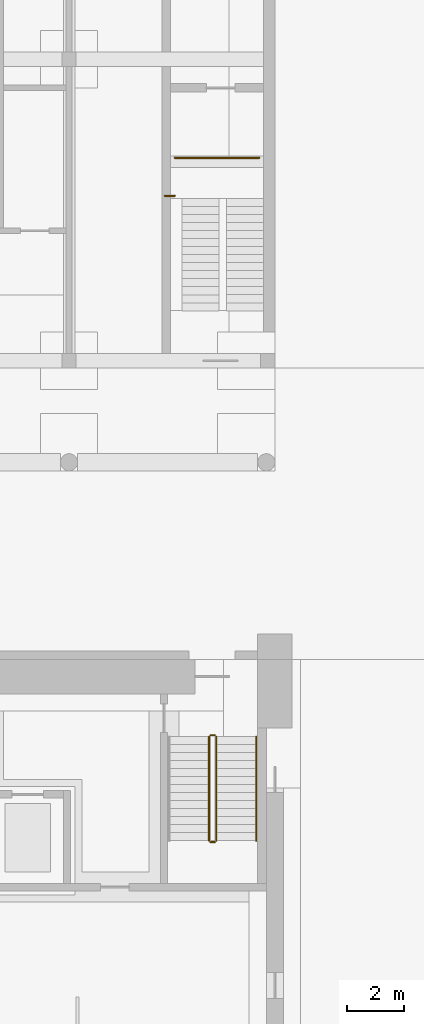
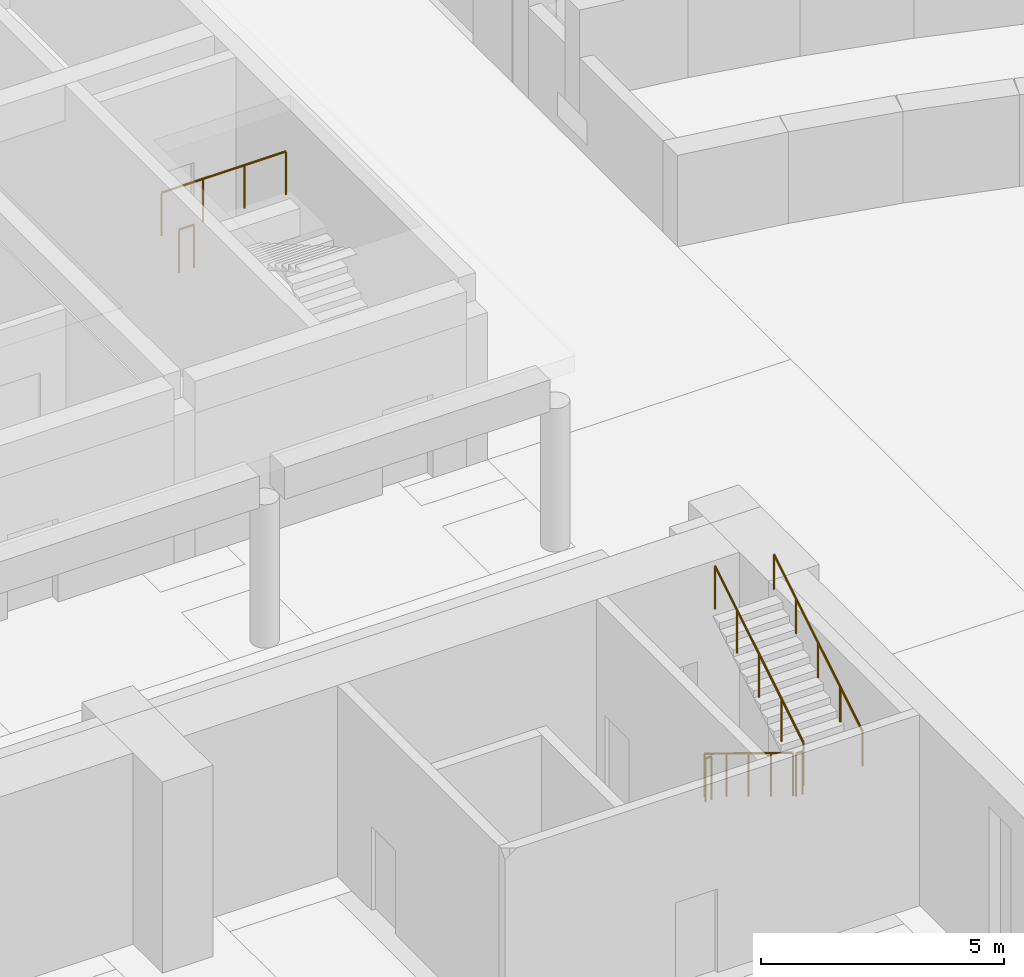
# One storey, part 69 of 73: 7 railings.
"""IFC4 building model written with IfcOpenShell, lengths in metres."""

import ifcopenshell
import ifcopenshell.guid

model = None  # the IFC model being written
_history = None  # IfcOwnerHistory: only IFC2X3 demands one
_inside = {}  # id of a spatial element -> (the spatial element, [elements in it])
_under = {}  # id of a project, library or spatial element -> (it, [spatial elements below it])
_declared = {}  # id of a project -> (the project, [libraries it declares])
_typed = {}  # id of a type object -> (the type object, [elements of that type])
_made_of = {}  # id of a material, layer set ... -> (it, [elements and type objects made of it])


def new_model(schema):
    """Start an empty IFC model of exactly this schema.

    Asked for "IFC4X3", IfcOpenShell would pick the latest addendum, in which some entities
    have other attributes; the version numbers below select the first issue.
    IFC2X3 requires an IfcOwnerHistory on every rooted entity: one is made here for all.
    """
    global model, _history
    if schema == "IFC4X3":
        model = ifcopenshell.file(schema_version=(4, 3, 0, 0))
    else:
        model = ifcopenshell.file(schema=schema)
    _inside.clear()
    _under.clear()
    _declared.clear()
    _typed.clear()
    _made_of.clear()
    _history = None
    if model.schema == "IFC2X3":
        org = make("IfcOrganization", Name="unknown")
        user = make(
            "IfcPersonAndOrganization",
            ThePerson=make("IfcPerson", FamilyName="unknown"),
            TheOrganization=org,
        )
        app = make(
            "IfcApplication",
            ApplicationDeveloper=org,
            Version="unknown",
            ApplicationFullName="unknown",
            ApplicationIdentifier="unknown",
        )
        _history = make(
            "IfcOwnerHistory",
            OwningUser=user,
            OwningApplication=app,
            ChangeAction="ADDED",
            CreationDate=0,
        )
    return model


def make(cls, **values):
    """One entity of the class cls with the attributes given. An attribute that is None is left unset."""
    return model.create_entity(
        cls, **{name: value for name, value in values.items() if value is not None}
    )


def rooted(cls, **values):
    """An entity with a GlobalId (a new one), such as an element, a storey or a relation."""
    return make(cls, GlobalId=ifcopenshell.guid.new(), OwnerHistory=_history, **values)


def si_unit(unit_type, name, prefix=None):
    """IfcSIUnit, for example si_unit("LENGTHUNIT", "METRE", prefix="MILLI")."""
    return make("IfcSIUnit", UnitType=unit_type, Prefix=prefix, Name=name)


def assignment(units):
    """IfcUnitAssignment: the units of a project."""
    return None if units is None else make("IfcUnitAssignment", Units=units)


def point(xyz):
    """IfcCartesianPoint."""
    return None if xyz is None else make("IfcCartesianPoint", Coordinates=xyz)


def direction(xyz):
    """IfcDirection."""
    return None if xyz is None else make("IfcDirection", DirectionRatios=xyz)


def frame(location, z_axis=None, x_axis=None):
    """IfcAxis2Placement3D, a coordinate frame: its origin and axes. An axis left out is left unset."""
    return make(
        "IfcAxis2Placement3D",
        Location=point(location),
        Axis=direction(z_axis),
        RefDirection=direction(x_axis),
    )


def frame_2d(location, x_axis=None):
    """IfcAxis2Placement2D, a coordinate frame in the plane: its origin and x axis."""
    return make(
        "IfcAxis2Placement2D", Location=point(location), RefDirection=direction(x_axis)
    )


def origin():
    """The frame at (0, 0, 0) with its axes left unset."""
    return frame((0.0, 0.0, 0.0))


def origin_2d():
    """The frame at (0, 0) in the plane with its x axis left unset."""
    return frame_2d((0.0, 0.0))


def place(relative_to, where):
    """IfcLocalPlacement: puts the frame where relative to a parent placement (None: the world)."""
    return make(
        "IfcLocalPlacement", PlacementRelTo=relative_to, RelativePlacement=where
    )


def context(
    kind, dimensions, precision=None, world=None, true_north=None, identifier=None
):
    """IfcGeometricRepresentationContext, for example the 3D "Model" context."""
    return make(
        "IfcGeometricRepresentationContext",
        ContextIdentifier=identifier,
        ContextType=kind,
        CoordinateSpaceDimension=dimensions,
        Precision=precision,
        WorldCoordinateSystem=world,
        TrueNorth=true_north,
    )


def subcontext(parent, identifier, kind, view, scale=None):
    """IfcGeometricRepresentationSubContext, for example "Body" below "Model"."""
    return make(
        "IfcGeometricRepresentationSubContext",
        ContextIdentifier=identifier,
        ContextType=kind,
        ParentContext=parent,
        TargetScale=scale,
        TargetView=view,
    )


def project(units=None, contexts=None):
    """IfcProject with its units and contexts."""
    return rooted(
        "IfcProject",
        Name="project",
        RepresentationContexts=contexts,
        UnitsInContext=assignment(units),
    )


def spatial(cls, under=None, at=None, **own):
    """A site, building, storey or space (cls), placed at a placement, below another one or the project."""
    s = rooted(cls, ObjectPlacement=at, **own)
    if under is not None:
        _under.setdefault(under.id(), (under, []))[1].append(s)
    return s


def profile(cls, at=None, kind="AREA", **sizes):
    """A parametric profile (cls). Its sizes go by their IFC names, for example OverallWidth=200.0."""
    return make(cls, ProfileType=kind, Position=at, **sizes)


def circle(**sizes):
    """IfcCircleProfileDef."""
    return profile("IfcCircleProfileDef", **sizes)


def extrude(swept, where, along, depth):
    """IfcExtrudedAreaSolid: the profile swept, set in the frame where, extruded along a direction by depth."""
    return make(
        "IfcExtrudedAreaSolid",
        SweptArea=swept,
        Position=where,
        ExtrudedDirection=direction(along),
        Depth=depth,
    )


def shape(context_of_items, identifier, shape_type, items):
    """IfcShapeRepresentation: the items that make up one representation, for example the "Body"."""
    return make(
        "IfcShapeRepresentation",
        ContextOfItems=context_of_items,
        RepresentationIdentifier=identifier,
        RepresentationType=shape_type,
        Items=items,
    )


def material(Name=None, Category=None):
    """IfcMaterial."""
    return make("IfcMaterial", Name=Name, Category=Category)


def made_of(thing, what):
    """Note that an element or type object is made of a material, layer set ...; save() writes the relation."""
    if what is not None:
        _made_of.setdefault(what.id(), (what, []))[1].append(thing)
    return thing


def type_object(cls, material=None, **own):
    """A type object (cls), such as IfcWallType, which elements share."""
    return made_of(rooted(cls, **own), material)


def element(
    cls,
    number,
    at=None,
    inside=None,
    cuts=None,
    type_object=None,
    material=None,
    context=None,
    identifier="Body",
    shape_type=None,
    held_by="IfcProductDefinitionShape",
    body=None,
    shapes=None,
    **own,
):
    """One element of the class cls, such as IfcWall. Its Tag is "e" and its number.

    at: its placement. inside: the storey or other place that contains it. cuts: it is an
    opening in that element (IfcRelVoidsElement). A single representation is given by context,
    identifier, shape_type and body (its items); several are given by shapes. held_by: the class
    of the entity that holds the representations. save() writes the other relations.
    """
    e = rooted(cls, Tag="e%d" % number, ObjectPlacement=at, **own)
    if body is not None:
        shapes = [shape(context, identifier, shape_type, body)]
    if shapes is not None:
        e.Representation = make(held_by, Representations=shapes)
    if inside is not None:
        _inside.setdefault(inside.id(), (inside, []))[1].append(e)
    if cuts is not None:
        rooted(
            "IfcRelVoidsElement", RelatingBuildingElement=cuts, RelatedOpeningElement=e
        )
    if type_object is not None:
        _typed.setdefault(type_object.id(), (type_object, []))[1].append(e)
    return made_of(e, material)


def aggregate(whole, parts):
    """IfcRelAggregates: a whole, such as a stair, and the parts it consists of."""
    return rooted("IfcRelAggregates", RelatingObject=whole, RelatedObjects=parts)


def save(model, path):
    """Write the relations noted so far, then the file.

    IfcRelAggregates (storeys below a building ...), IfcRelContainedInSpatialStructure (elements
    in a storey), IfcRelDefinesByType, IfcRelAssociatesMaterial and IfcRelDeclares: one each for
    every whole, place, type object, material and project.
    """
    for whole, parts in _under.values():
        aggregate(whole, parts)
    for where, things in _inside.values():
        rooted(
            "IfcRelContainedInSpatialStructure",
            RelatedElements=things,
            RelatingStructure=where,
        )
    for kind, things in _typed.values():
        rooted("IfcRelDefinesByType", RelatedObjects=things, RelatingType=kind)
    for what, things in _made_of.values():
        rooted("IfcRelAssociatesMaterial", RelatedObjects=things, RelatingMaterial=what)
    for by, libraries in _declared.values():
        rooted("IfcRelDeclares", RelatingContext=by, RelatedDefinitions=libraries)
    model.write(path)


model = new_model("IFC4")

# Units and contexts
model_context = context("Model", 3, precision=1e-05, world=origin(), true_north=direction((0.0, 1.0)))
body_context = subcontext(model_context, "Body", "Model", "MODEL_VIEW")
ifc_project = project(units=[si_unit("LENGTHUNIT", "METRE"), si_unit("AREAUNIT", "SQUARE_METRE"), si_unit("VOLUMEUNIT", "CUBIC_METRE"), si_unit("PLANEANGLEUNIT", "RADIAN"), si_unit("MASSUNIT", "GRAM", prefix="KILO")], contexts=[model_context])

# Site, building, storey
site_placement = place(None, origin())
site = spatial("IfcSite", under=ifc_project, at=site_placement, CompositionType="ELEMENT")
building_placement = place(site_placement, origin())
building = spatial("IfcBuilding", under=site, at=building_placement, Name="Alderwick Market Hall", CompositionType="ELEMENT")
storey_placement = place(building_placement, origin())
storey = spatial("IfcBuildingStorey", under=building, at=storey_placement, Name="LG", CompositionType="ELEMENT", Elevation=0.0)

# Railings
ifc_material_1 = material(Name="Steel ASTM A500 Grade C", Category="steel")
railing_type_1 = type_object("IfcRailingType", Name="A Roof Guard 1100", PredefinedType="GUARDRAIL", material=ifc_material_1)
railing_1_placement = place(storey_placement, frame((150.64990234375, 126.14990234375, 2.39990234375)))
element("IfcRailing", 1, at=railing_1_placement, inside=storey, type_object=railing_type_1, Name="Stair guard", PredefinedType="GUARDRAIL", context=body_context, shape_type="SweptSolid", body=[
    extrude(circle(Radius=0.02392578125, at=origin_2d()), frame((0.0, 0.0, 1.076171875), z_axis=(-1.0, 0.0, 0.0), x_axis=(0.0, -1.0, 0.0)), (0.0, 0.0, 1.0), 2.949951171875),
    extrude(circle(Radius=0.02099609375, at=origin_2d()), origin(), (0.0, 0.0, 1.0), 1.052001953125),
    extrude(circle(Radius=0.02099609375, at=origin_2d()), frame((-0.9833984375, 0.0, 0.0)), (0.0, 0.0, 1.0), 1.052001953125),
    extrude(circle(Radius=0.02099609375, at=origin_2d()), frame((-1.966552734375, 0.0, 0.0)), (0.0, 0.0, 1.0), 1.052001953125),
    extrude(circle(Radius=0.02099609375, at=origin_2d()), frame((-2.949951171875, 0.0, 0.0)), (0.0, 0.0, 1.0), 1.052001953125),
])
railing_2_placement = place(storey_placement, frame((147.35009765625, 124.820068359375, 2.39990234375)))
element("IfcRailing", 2, at=railing_2_placement, inside=storey, type_object=railing_type_1, Name="Stair guard", PredefinedType="GUARDRAIL", context=body_context, shape_type="SweptSolid", body=[
    extrude(circle(Radius=0.02392578125, at=origin_2d()), frame((0.0, 0.0, 1.076171875), z_axis=(1.0, 0.0, 0.0), x_axis=(0.0, 1.0, 0.0)), (0.0, 0.0, 1.0), 0.349853515625),
    extrude(circle(Radius=0.02099609375, at=origin_2d()), origin(), (0.0, 0.0, 1.0), 1.052001953125),
    extrude(circle(Radius=0.02099609375, at=origin_2d()), frame((0.349853515625, 0.0, 0.0)), (0.0, 0.0, 1.0), 1.052001953125),
])
ifc_material_2 = material(Name="Steel, painted", Category="steel")
railing_type_2 = type_object("IfcRailingType", Name="H Guard 1100", PredefinedType="GUARDRAIL", material=ifc_material_2)
railing_3_placement = place(storey_placement, frame((148.89990234375, 105.89990234375, 0.17138671875)))
element("IfcRailing", 3, at=railing_3_placement, inside=storey, type_object=railing_type_2, Name="LG H-NE stair guard 1", PredefinedType="GUARDRAIL", context=body_context, shape_type="SweptSolid", body=[
    extrude(circle(Radius=0.02392578125, at=origin_2d()), frame((0.0, 0.0, 1.076171875), z_axis=(0.0, -0.852850264322, 0.5221555579), x_axis=(1.0, 0.0, 0.0)), (0.0, 0.0, 1.0), 4.267822265625),
    extrude(circle(Radius=0.02099609375, at=origin_2d()), origin(), (0.0, 0.0, 1.0), 1.052001953125),
    extrude(circle(Radius=0.02099609375, at=origin_2d()), frame((0.0, -0.909912109375, 0.55712890625)), (0.0, 0.0, 1.0), 1.052001953125),
    extrude(circle(Radius=0.02099609375, at=origin_2d()), frame((0.0, -1.81982421875, 1.1142578125)), (0.0, 0.0, 1.0), 1.052001953125),
    extrude(circle(Radius=0.02099609375, at=origin_2d()), frame((0.0, -2.72998046875, 1.67138671875)), (0.0, 0.0, 1.0), 1.052001953125),
    extrude(circle(Radius=0.02099609375, at=origin_2d()), frame((0.0, -3.639892578125, 2.228515625)), (0.0, 0.0, 1.0), 1.052001953125),
])
railing_4_placement = place(storey_placement, frame((148.949951171875, 102.2099609375, 2.39990234375)))
element("IfcRailing", 4, at=railing_4_placement, inside=storey, type_object=railing_type_2, Name="LG H-NE stair guard 2", PredefinedType="GUARDRAIL", context=body_context, shape_type="SweptSolid", body=[
    extrude(circle(Radius=0.02392578125, at=origin_2d()), frame((0.0, 0.0, 1.076171875), z_axis=(1.0, 0.0, 0.0), x_axis=(0.0, 1.0, 0.0)), (0.0, 0.0, 1.0), 0.150146484375),
    extrude(circle(Radius=0.02099609375, at=origin_2d()), origin(), (0.0, 0.0, 1.0), 1.052001953125),
    extrude(circle(Radius=0.02099609375, at=origin_2d()), frame((0.150146484375, 0.0, 0.0)), (0.0, 0.0, 1.0), 1.052001953125),
])
railing_5_placement = place(storey_placement, frame((149.14990234375, 102.260009765625, 2.571533203125)))
element("IfcRailing", 5, at=railing_5_placement, inside=storey, type_object=railing_type_2, Name="LG H-NE stair guard 3", PredefinedType="GUARDRAIL", context=body_context, shape_type="SweptSolid", body=[
    extrude(circle(Radius=0.02392578125, at=origin_2d()), frame((0.0, 0.0, 1.076171875), z_axis=(0.0, 0.852850264322, 0.5221555579), x_axis=(-1.0, 0.0, 0.0)), (0.0, 0.0, 1.0), 4.267822265625),
    extrude(circle(Radius=0.02099609375, at=origin_2d()), origin(), (0.0, 0.0, 1.0), 1.052001953125),
    extrude(circle(Radius=0.02099609375, at=origin_2d()), frame((0.0, 0.909912109375, 0.55712890625)), (0.0, 0.0, 1.0), 1.052001953125),
    extrude(circle(Radius=0.02099609375, at=origin_2d()), frame((0.0, 1.81982421875, 1.1142578125)), (0.0, 0.0, 1.0), 1.052001953125),
    extrude(circle(Radius=0.02099609375, at=origin_2d()), frame((0.0, 2.72998046875, 1.67138671875)), (0.0, 0.0, 1.0), 1.052001953125),
    extrude(circle(Radius=0.02099609375, at=origin_2d()), frame((0.0, 3.639892578125, 2.228515625)), (0.0, 0.0, 1.0), 1.052001953125),
])
railing_6_placement = place(storey_placement, frame((148.949951171875, 105.949951171875, 0.0)))
element("IfcRailing", 6, at=railing_6_placement, inside=storey, type_object=railing_type_2, Name="LG H-NE stair guard 4", PredefinedType="GUARDRAIL", context=body_context, shape_type="SweptSolid", body=[
    extrude(circle(Radius=0.02392578125, at=origin_2d()), frame((0.0, 0.0, 1.076171875), z_axis=(1.0, 0.0, 0.0), x_axis=(0.0, 1.0, 0.0)), (0.0, 0.0, 1.0), 0.150146484375),
    extrude(circle(Radius=0.02099609375, at=origin_2d()), origin(), (0.0, 0.0, 1.0), 1.052001953125),
    extrude(circle(Radius=0.02099609375, at=origin_2d()), frame((0.150146484375, 0.0, 0.0)), (0.0, 0.0, 1.0), 1.052001953125),
])
railing_type_3 = type_object("IfcRailingType", Name="H Handrail 900", PredefinedType="HANDRAIL", material=ifc_material_2)
railing_7_placement = place(storey_placement, frame((150.550048828125, 102.260009765625, 2.571533203125)))
element("IfcRailing", 7, at=railing_7_placement, inside=storey, type_object=railing_type_3, Name="LG H-NE stair handrail 2", PredefinedType="HANDRAIL", context=body_context, shape_type="SweptSolid", body=[
    extrude(circle(Radius=0.02392578125, at=origin_2d()), frame((0.0, 0.0, 0.8759765625), z_axis=(0.0, 0.852850264322, 0.5221555579), x_axis=(-1.0, 0.0, 0.0)), (0.0, 0.0, 1.0), 4.267822265625),
    extrude(circle(Radius=0.02099609375, at=origin_2d()), origin(), (0.0, 0.0, 1.0), 0.851806640625),
    extrude(circle(Radius=0.02099609375, at=origin_2d()), frame((0.0, 0.909912109375, 0.55712890625)), (0.0, 0.0, 1.0), 0.851806640625),
    extrude(circle(Radius=0.02099609375, at=origin_2d()), frame((0.0, 1.81982421875, 1.1142578125)), (0.0, 0.0, 1.0), 0.851806640625),
    extrude(circle(Radius=0.02099609375, at=origin_2d()), frame((0.0, 2.72998046875, 1.67138671875)), (0.0, 0.0, 1.0), 0.851806640625),
    extrude(circle(Radius=0.02099609375, at=origin_2d()), frame((0.0, 3.639892578125, 2.228515625)), (0.0, 0.0, 1.0), 0.851806640625),
])

save(model, "model.ifc")
